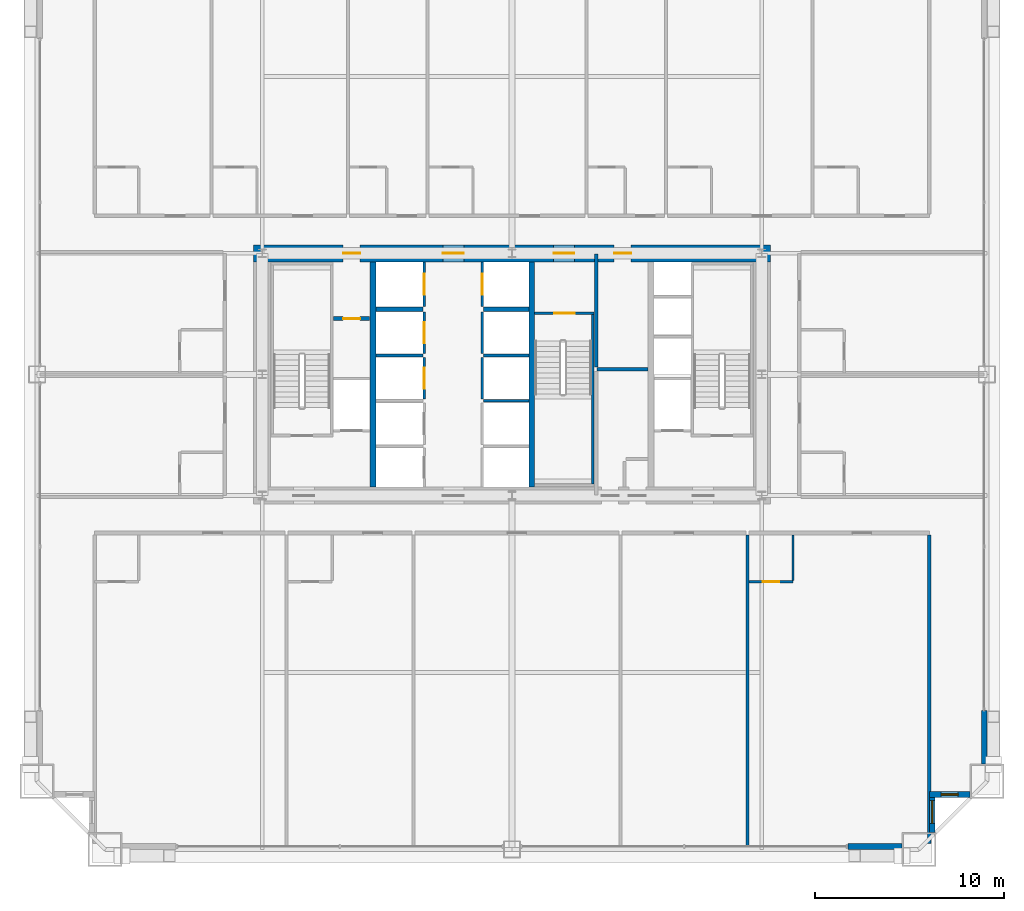
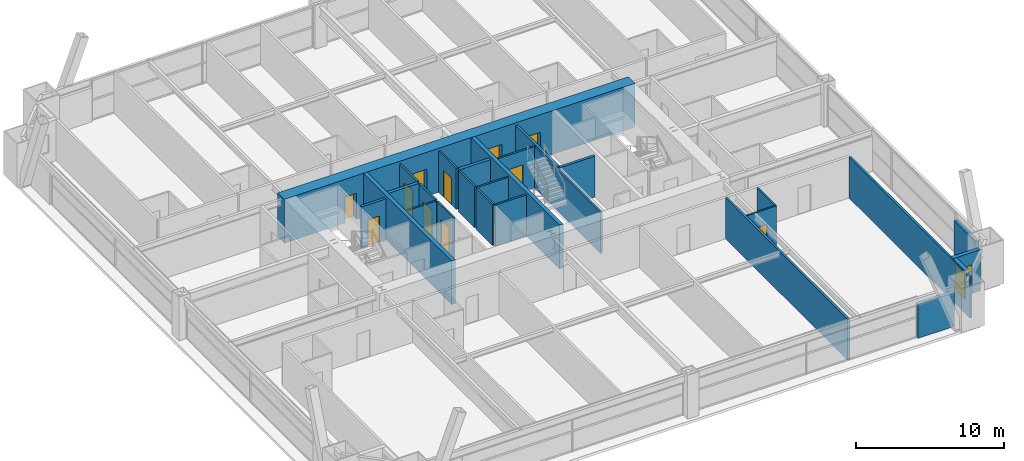
# One storey, part 40 of 43: 27 walls, 11 doors, 2 windows, 13 openings.
"""IFC4 building model written with IfcOpenShell, lengths in metres."""

import ifcopenshell
import ifcopenshell.guid

model = None  # the IFC model being written
_history = None  # IfcOwnerHistory: only IFC2X3 demands one
_inside = {}  # id of a spatial element -> (the spatial element, [elements in it])
_under = {}  # id of a project, library or spatial element -> (it, [spatial elements below it])
_declared = {}  # id of a project -> (the project, [libraries it declares])
_typed = {}  # id of a type object -> (the type object, [elements of that type])
_made_of = {}  # id of a material, layer set ... -> (it, [elements and type objects made of it])


def new_model(schema):
    """Start an empty IFC model of exactly this schema.

    Asked for "IFC4X3", IfcOpenShell would pick the latest addendum, in which some entities
    have other attributes; the version numbers below select the first issue.
    IFC2X3 requires an IfcOwnerHistory on every rooted entity: one is made here for all.
    """
    global model, _history
    if schema == "IFC4X3":
        model = ifcopenshell.file(schema_version=(4, 3, 0, 0))
    else:
        model = ifcopenshell.file(schema=schema)
    _inside.clear()
    _under.clear()
    _declared.clear()
    _typed.clear()
    _made_of.clear()
    _history = None
    if model.schema == "IFC2X3":
        org = make("IfcOrganization", Name="unknown")
        user = make(
            "IfcPersonAndOrganization",
            ThePerson=make("IfcPerson", FamilyName="unknown"),
            TheOrganization=org,
        )
        app = make(
            "IfcApplication",
            ApplicationDeveloper=org,
            Version="unknown",
            ApplicationFullName="unknown",
            ApplicationIdentifier="unknown",
        )
        _history = make(
            "IfcOwnerHistory",
            OwningUser=user,
            OwningApplication=app,
            ChangeAction="ADDED",
            CreationDate=0,
        )
    return model


def make(cls, **values):
    """One entity of the class cls with the attributes given. An attribute that is None is left unset."""
    return model.create_entity(
        cls, **{name: value for name, value in values.items() if value is not None}
    )


def rooted(cls, **values):
    """An entity with a GlobalId (a new one), such as an element, a storey or a relation."""
    return make(cls, GlobalId=ifcopenshell.guid.new(), OwnerHistory=_history, **values)


def si_unit(unit_type, name, prefix=None):
    """IfcSIUnit, for example si_unit("LENGTHUNIT", "METRE", prefix="MILLI")."""
    return make("IfcSIUnit", UnitType=unit_type, Prefix=prefix, Name=name)


def assignment(units):
    """IfcUnitAssignment: the units of a project."""
    return None if units is None else make("IfcUnitAssignment", Units=units)


def point(xyz):
    """IfcCartesianPoint."""
    return None if xyz is None else make("IfcCartesianPoint", Coordinates=xyz)


def direction(xyz):
    """IfcDirection."""
    return None if xyz is None else make("IfcDirection", DirectionRatios=xyz)


def frame(location, z_axis=None, x_axis=None):
    """IfcAxis2Placement3D, a coordinate frame: its origin and axes. An axis left out is left unset."""
    return make(
        "IfcAxis2Placement3D",
        Location=point(location),
        Axis=direction(z_axis),
        RefDirection=direction(x_axis),
    )


def frame_2d(location, x_axis=None):
    """IfcAxis2Placement2D, a coordinate frame in the plane: its origin and x axis."""
    return make(
        "IfcAxis2Placement2D", Location=point(location), RefDirection=direction(x_axis)
    )


def origin():
    """The frame at (0, 0, 0) with its axes left unset."""
    return frame((0.0, 0.0, 0.0))


def place(relative_to, where):
    """IfcLocalPlacement: puts the frame where relative to a parent placement (None: the world)."""
    return make(
        "IfcLocalPlacement", PlacementRelTo=relative_to, RelativePlacement=where
    )


def context(
    kind, dimensions, precision=None, world=None, true_north=None, identifier=None
):
    """IfcGeometricRepresentationContext, for example the 3D "Model" context."""
    return make(
        "IfcGeometricRepresentationContext",
        ContextIdentifier=identifier,
        ContextType=kind,
        CoordinateSpaceDimension=dimensions,
        Precision=precision,
        WorldCoordinateSystem=world,
        TrueNorth=true_north,
    )


def subcontext(parent, identifier, kind, view, scale=None):
    """IfcGeometricRepresentationSubContext, for example "Body" below "Model"."""
    return make(
        "IfcGeometricRepresentationSubContext",
        ContextIdentifier=identifier,
        ContextType=kind,
        ParentContext=parent,
        TargetScale=scale,
        TargetView=view,
    )


def project(units=None, contexts=None):
    """IfcProject with its units and contexts."""
    return rooted(
        "IfcProject",
        Name="project",
        RepresentationContexts=contexts,
        UnitsInContext=assignment(units),
    )


def spatial(cls, under=None, at=None, **own):
    """A site, building, storey or space (cls), placed at a placement, below another one or the project."""
    s = rooted(cls, ObjectPlacement=at, **own)
    if under is not None:
        _under.setdefault(under.id(), (under, []))[1].append(s)
    return s


def profile(cls, at=None, kind="AREA", **sizes):
    """A parametric profile (cls). Its sizes go by their IFC names, for example OverallWidth=200.0."""
    return make(cls, ProfileType=kind, Position=at, **sizes)


def rectangle(**sizes):
    """IfcRectangleProfileDef."""
    return profile("IfcRectangleProfileDef", **sizes)


def extrude(swept, where, along, depth):
    """IfcExtrudedAreaSolid: the profile swept, set in the frame where, extruded along a direction by depth."""
    return make(
        "IfcExtrudedAreaSolid",
        SweptArea=swept,
        Position=where,
        ExtrudedDirection=direction(along),
        Depth=depth,
    )


def shape(context_of_items, identifier, shape_type, items):
    """IfcShapeRepresentation: the items that make up one representation, for example the "Body"."""
    return make(
        "IfcShapeRepresentation",
        ContextOfItems=context_of_items,
        RepresentationIdentifier=identifier,
        RepresentationType=shape_type,
        Items=items,
    )


def source(mapping_origin, context_of_items, identifier, shape_type, items):
    """IfcRepresentationMap: a shape defined once, which mapped items show again and again."""
    return make(
        "IfcRepresentationMap",
        MappingOrigin=mapping_origin,
        MappedRepresentation=shape(context_of_items, identifier, shape_type, items),
    )


def transform(
    local_origin,
    x_axis=None,
    y_axis=None,
    z_axis=None,
    scale=None,
    scale2=None,
    scale3=None,
    uniform=True,
):
    """IfcCartesianTransformationOperator3D, or its non-uniform kind. x_axis, y_axis, z_axis: its Axis1, 2, 3."""
    if uniform:
        return make(
            "IfcCartesianTransformationOperator3D",
            Axis1=direction(x_axis),
            Axis2=direction(y_axis),
            LocalOrigin=point(local_origin),
            Scale=scale,
            Axis3=direction(z_axis),
        )
    return make(
        "IfcCartesianTransformationOperator3DnonUniform",
        Axis1=direction(x_axis),
        Axis2=direction(y_axis),
        LocalOrigin=point(local_origin),
        Scale=scale,
        Axis3=direction(z_axis),
        Scale2=scale2,
        Scale3=scale3,
    )


def mapped(mapping_source, mapping_target):
    """IfcMappedItem: shows the shape of a source again, moved by a transform."""
    return make(
        "IfcMappedItem", MappingSource=mapping_source, MappingTarget=mapping_target
    )


def material(Name=None, Category=None):
    """IfcMaterial."""
    return make("IfcMaterial", Name=Name, Category=Category)


def layer(
    of_material, thickness, ventilated=None, Name=None, Category=None, Priority=None
):
    """IfcMaterialLayer: one layer of a wall or slab, of a material (None: an air gap)."""
    return make(
        "IfcMaterialLayer",
        Material=of_material,
        LayerThickness=thickness,
        IsVentilated=ventilated,
        Name=Name,
        Category=Category,
        Priority=Priority,
    )


def layer_set(layers, Name=None):
    """IfcMaterialLayerSet."""
    return make("IfcMaterialLayerSet", MaterialLayers=layers, LayerSetName=Name)


def made_of(thing, what):
    """Note that an element or type object is made of a material, layer set ...; save() writes the relation."""
    if what is not None:
        _made_of.setdefault(what.id(), (what, []))[1].append(thing)
    return thing


def type_object(cls, material=None, **own):
    """A type object (cls), such as IfcWallType, which elements share."""
    return made_of(rooted(cls, **own), material)


def element(
    cls,
    number,
    at=None,
    inside=None,
    cuts=None,
    type_object=None,
    material=None,
    context=None,
    identifier="Body",
    shape_type=None,
    held_by="IfcProductDefinitionShape",
    body=None,
    shapes=None,
    **own,
):
    """One element of the class cls, such as IfcWall. Its Tag is "e" and its number.

    at: its placement. inside: the storey or other place that contains it. cuts: it is an
    opening in that element (IfcRelVoidsElement). A single representation is given by context,
    identifier, shape_type and body (its items); several are given by shapes. held_by: the class
    of the entity that holds the representations. save() writes the other relations.
    """
    e = rooted(cls, Tag="e%d" % number, ObjectPlacement=at, **own)
    if body is not None:
        shapes = [shape(context, identifier, shape_type, body)]
    if shapes is not None:
        e.Representation = make(held_by, Representations=shapes)
    if inside is not None:
        _inside.setdefault(inside.id(), (inside, []))[1].append(e)
    if cuts is not None:
        rooted(
            "IfcRelVoidsElement", RelatingBuildingElement=cuts, RelatedOpeningElement=e
        )
    if type_object is not None:
        _typed.setdefault(type_object.id(), (type_object, []))[1].append(e)
    return made_of(e, material)


def fill(opening, filler):
    """IfcRelFillsElement: the door or window that sits in an opening."""
    return rooted(
        "IfcRelFillsElement",
        RelatingOpeningElement=opening,
        RelatedBuildingElement=filler,
    )


def aggregate(whole, parts):
    """IfcRelAggregates: a whole, such as a stair, and the parts it consists of."""
    return rooted("IfcRelAggregates", RelatingObject=whole, RelatedObjects=parts)


def save(model, path):
    """Write the relations noted so far, then the file.

    IfcRelAggregates (storeys below a building ...), IfcRelContainedInSpatialStructure (elements
    in a storey), IfcRelDefinesByType, IfcRelAssociatesMaterial and IfcRelDeclares: one each for
    every whole, place, type object, material and project.
    """
    for whole, parts in _under.values():
        aggregate(whole, parts)
    for where, things in _inside.values():
        rooted(
            "IfcRelContainedInSpatialStructure",
            RelatedElements=things,
            RelatingStructure=where,
        )
    for kind, things in _typed.values():
        rooted("IfcRelDefinesByType", RelatedObjects=things, RelatingType=kind)
    for what, things in _made_of.values():
        rooted("IfcRelAssociatesMaterial", RelatedObjects=things, RelatingMaterial=what)
    for by, libraries in _declared.values():
        rooted("IfcRelDeclares", RelatingContext=by, RelatedDefinitions=libraries)
    model.write(path)


model = new_model("IFC4")

# Units and contexts
model_context = context("Model", 3, precision=1e-05, world=origin(), true_north=direction((0.0, 1.0)))
body_context = subcontext(model_context, "Body", "Model", "MODEL_VIEW")
ifc_project = project(units=[si_unit("LENGTHUNIT", "METRE"), si_unit("AREAUNIT", "SQUARE_METRE"), si_unit("VOLUMEUNIT", "CUBIC_METRE"), si_unit("PLANEANGLEUNIT", "RADIAN"), si_unit("MASSUNIT", "GRAM", prefix="KILO"), si_unit("THERMODYNAMICTEMPERATUREUNIT", "KELVIN"), si_unit("POWERUNIT", "WATT")], contexts=[model_context])

# Site, building, storey
site_placement = place(None, origin())
site = spatial("IfcSite", under=ifc_project, at=site_placement, CompositionType="ELEMENT")
building_placement = place(site_placement, origin())
building = spatial("IfcBuilding", under=site, at=building_placement, Name="Yuzanri Waterfront Tower", CompositionType="ELEMENT")
storey_placement = place(building_placement, frame((0.0, 0.0, 53.199951171875)))
storey = spatial("IfcBuildingStorey", under=building, at=storey_placement, Name="L13", CompositionType="ELEMENT", Elevation=53.199951171875)

# Wall, opening, door
ifc_material_1 = material(Name="Moisture-Resistant Gypsum Stud Wall", Category="gypsum")
ifc_layer_1 = layer(ifc_material_1, 0.1201171875)
ifc_layer_set_1 = layer_set([ifc_layer_1], Name="Moisture-Resistant Gypsum Stud Wall")
wall_type_1 = type_object("IfcWallType", Name="Bathroom and Kitchen Wet Partition 120", PredefinedType="PARTITIONING", material=ifc_layer_set_1)
wall_1_placement = place(storey_placement, frame((49.52197265625, 14.840087890625, 0.0), z_axis=(0.0, 0.0, 1.0), x_axis=(1.0, 0.0, 0.0)))
wall_1 = element("IfcWall", 1, at=wall_1_placement, inside=storey, type_object=wall_type_1, Name="L13 Partition UW-L13-S5-BS", PredefinedType="PARTITIONING", context=body_context, shape_type="SweptSolid", body=[
    extrude(rectangle(XDim=2.330078125, YDim=0.1201171875, at=frame_2d((1.1650390625, 0.0))), origin(), (0.0, 0.0, 1.0), 3.380126953125),
])
opening_1_placement = place(wall_1_placement, frame((0.739990234375, 0.0, 0.0)))
opening_1 = element("IfcOpeningElement", 2, at=opening_1_placement, cuts=wall_1, Name="Opening ID-0850", PredefinedType="OPENING", context=body_context, shape_type="SweptSolid", body=[
    extrude(rectangle(XDim=0.85009765625, YDim=2.10009765625, at=frame_2d((0.425048828125, 1.050048828125))), frame((0.0, 0.074951171875, 0.0), z_axis=(0.0, -1.0, 0.0), x_axis=(1.0, 0.0, 0.0)), (0.0, 0.0, 1.0), 0.14990234375),
])
ifc_material_2 = material(Name="Moisture-Resistant Lacquered Timber", Category="wood")
door_type_1 = type_object("IfcDoorType", Name="En-Suite Bathroom and Kitchen Swing Door 850x2100", OperationType="NOTDEFINED", PredefinedType="DOOR", material=ifc_material_2)
shared_shape_1 = source(origin(), body_context, "Body", "SweptSolid", [
    extrude(rectangle(XDim=0.85009765625, YDim=2.10009765625, at=frame_2d((0.425048828125, 1.050048828125))), frame((0.0, 0.02490234375, 0.0), z_axis=(0.0, -1.0, 0.0), x_axis=(1.0, 0.0, 0.0)), (0.0, 0.0, 1.0), 0.050048828125),
])
door_1_placement = place(opening_1_placement, origin())
door_1 = element("IfcDoor", 3, at=door_1_placement, inside=storey, type_object=door_type_1, Name="L13 Guest En-Suite Door", OperationType="SINGLE_SWING_LEFT", OverallHeight=2.10009765625, OverallWidth=0.85009765625, PredefinedType="DOOR", context=body_context, shape_type="MappedRepresentation", body=[
    mapped(shared_shape_1, transform((0.0, 0.0, 0.0), scale=1.0)),
])
fill(opening_1, door_1)

# Wall, opening, window
ifc_material_3 = material(Name="Honed Chongqing Dark Basalt Stone", Category="masonry")
ifc_layer_2 = layer(ifc_material_3, 0.300048828125)
ifc_layer_set_2 = layer_set([ifc_layer_2], Name="Honed Chongqing Dark Basalt Stone")
wall_type_2 = type_object("IfcWallType", Name="Bronze Rainscreen Insulated Spandrel Portal Wall 300", PredefinedType="SOLIDWALL", material=ifc_layer_set_2)
wall_2_placement = place(storey_placement, frame((59.050048828125, 3.60009765625, 0.0), z_axis=(0.0, 0.0, 1.0), x_axis=(1.0, 0.0, 0.0)))
wall_2 = element("IfcWall", 4, at=wall_2_placement, inside=storey, type_object=wall_type_2, Name="L13 Notched Corner Masonry Wall SE-X", PredefinedType="SOLIDWALL", context=body_context, shape_type="SweptSolid", body=[
    extrude(rectangle(XDim=2.14990234375, YDim=0.300048828125, at=frame_2d((1.074951171875, 0.0))), origin(), (0.0, 0.0, 1.0), 3.380126953125),
])
opening_2_placement = place(wall_2_placement, frame((0.625, 0.0, 0.85009765625)))
opening_2 = element("IfcOpeningElement", 5, at=opening_2_placement, cuts=wall_2, Name="Opening WN-05", PredefinedType="OPENING", context=body_context, shape_type="SweptSolid", body=[
    extrude(rectangle(XDim=0.89990234375, YDim=1.5, at=frame_2d((0.449951171875, 0.75))), frame((0.0, 0.1650390625, 0.0), z_axis=(0.0, -1.0, 0.0), x_axis=(1.0, 0.0, 0.0)), (0.0, 0.0, 1.0), 0.329833984375),
])
ifc_material_4 = material(Name="Double-Silver Low-E Insulated Glass", Category="glass")
window_type_1 = type_object("IfcWindowType", Name="Anodized Bronze Service and Stairwell Smoke-Vent Window 900x1500", PartitioningType="SINGLE_PANEL", PredefinedType="WINDOW", material=ifc_material_4)
shared_shape_2 = source(origin(), body_context, "Body", "SweptSolid", [
    extrude(rectangle(XDim=0.89990234375, YDim=1.5, at=frame_2d((0.449951171875, 0.75))), frame((0.0, 0.030029296875, 0.0), z_axis=(0.0, -1.0, 0.0), x_axis=(1.0, 0.0, 0.0)), (0.0, 0.0, 1.0), 0.06005859375),
])
window_1_placement = place(opening_2_placement, origin())
window_1 = element("IfcWindow", 6, at=window_1_placement, inside=storey, type_object=window_type_1, Name="L13 Notched Corner Window SE-X", OverallHeight=1.5, OverallWidth=0.89990234375, PartitioningType="SINGLE_PANEL", PredefinedType="WINDOW", context=body_context, shape_type="MappedRepresentation", body=[
    mapped(shared_shape_2, transform((0.0, 0.0, 0.0), scale=1.0)),
])
fill(opening_2, window_1)

wall_3_placement = place(storey_placement, frame((59.199951171875, 1.60009765625, 0.0), z_axis=(0.0, 0.0, 1.0), x_axis=(0.0, 1.0, 0.0)))
wall_3 = element("IfcWall", 7, at=wall_3_placement, inside=storey, type_object=wall_type_2, Name="L13 Notched Corner Masonry Wall SE-Y", PredefinedType="SOLIDWALL", context=body_context, shape_type="SweptSolid", body=[
    extrude(rectangle(XDim=2.14990234375, YDim=0.300048828125, at=frame_2d((1.074951171875, 0.0))), origin(), (0.0, 0.0, 1.0), 3.380126953125),
])
opening_3_placement = place(wall_3_placement, frame((0.47509765625, 0.0, 0.85009765625)))
opening_3 = element("IfcOpeningElement", 8, at=opening_3_placement, cuts=wall_3, Name="Opening WN-02", PredefinedType="OPENING", context=body_context, shape_type="SweptSolid", body=[
    extrude(rectangle(XDim=1.199951171875, YDim=2.10009765625, at=frame_2d((0.60009765625, 1.050048828125))), frame((0.0, 0.1650390625, 0.0), z_axis=(0.0, -1.0, 0.0), x_axis=(1.0, 0.0, 0.0)), (0.0, 0.0, 1.0), 0.329833984375),
])
ifc_material_5 = material(Name="Double-Silver Low-E Insulated Glass", Category="glass")
window_type_2 = type_object("IfcWindowType", Name="Anodized Bronze Notched Corner Deep-Set Slot Window 1200x2100", PartitioningType="SINGLE_PANEL", PredefinedType="WINDOW", material=ifc_material_5)
shared_shape_3 = source(origin(), body_context, "Body", "SweptSolid", [
    extrude(rectangle(XDim=1.199951171875, YDim=2.10009765625, at=frame_2d((0.60009765625, 1.050048828125))), frame((0.0, 0.030029296875, 0.0), z_axis=(0.0, -1.0, 0.0), x_axis=(1.0, 0.0, 0.0)), (0.0, 0.0, 1.0), 0.06005859375),
])
window_2_placement = place(opening_3_placement, origin())
window_2 = element("IfcWindow", 9, at=window_2_placement, inside=storey, type_object=window_type_2, Name="L13 Notched Corner Window SE-Y", OverallHeight=2.10009765625, OverallWidth=1.199951171875, PartitioningType="SINGLE_PANEL", PredefinedType="WINDOW", context=body_context, shape_type="MappedRepresentation", body=[
    mapped(shared_shape_3, transform((0.0, 0.0, 0.0), scale=1.0)),
])
fill(opening_3, window_2)

# Wall, openings, doors
ifc_material_6 = material(Name="Concrete C60", Category="concrete")
ifc_layer_3 = layer(ifc_material_6, 0.89990234375)
ifc_layer_set_3 = layer_set([ifc_layer_3], Name="Concrete C60")
wall_type_3 = type_object("IfcWallType", Name="Concrete C60 Lower Zone Core Shear Wall 900", PredefinedType="SHEAR", material=ifc_layer_set_3)
wall_4_placement = place(storey_placement, frame((23.35009765625, 32.199951171875, 0.0), z_axis=(0.0, 0.0, 1.0), x_axis=(1.0, 0.0, 0.0)))
wall_4 = element("IfcWall", 10, at=wall_4_placement, inside=storey, type_object=wall_type_3, Name="L13 Core North Shear Wall", PredefinedType="SHEAR", context=body_context, shape_type="SweptSolid", body=[
    extrude(rectangle(XDim=27.2998046875, YDim=0.89990234375, at=frame_2d((13.64990234375, 0.0))), origin(), (0.0, 0.0, 1.0), 3.60009765625),
])
opening_4_placement = place(wall_4_placement, frame((4.719970703125, 0.0, 0.0)))
opening_4 = element("IfcOpeningElement", 11, at=opening_4_placement, cuts=wall_4, Name="Opening FD-0900", PredefinedType="OPENING", context=body_context, shape_type="SweptSolid", body=[
    extrude(rectangle(XDim=0.89990234375, YDim=2.14990234375, at=frame_2d((0.449951171875, 1.074951171875))), frame((0.0, 0.46484375, 0.0), z_axis=(0.0, -1.0, 0.0), x_axis=(1.0, 0.0, 0.0)), (0.0, 0.0, 1.0), 0.9296875),
])
opening_5_placement = place(wall_4_placement, frame((10.0, 0.0, 0.0)))
opening_5 = element("IfcOpeningElement", 12, at=opening_5_placement, cuts=wall_4, Name="Opening FD-1100", PredefinedType="OPENING", context=body_context, shape_type="SweptSolid", body=[
    extrude(rectangle(XDim=1.10009765625, YDim=2.199951171875, at=frame_2d((0.550048828125, 1.10009765625))), frame((0.0, 0.46484375, 0.0), z_axis=(0.0, -1.0, 0.0), x_axis=(1.0, 0.0, 0.0)), (0.0, 0.0, 1.0), 0.9296875),
])
opening_6_placement = place(wall_4_placement, frame((15.85009765625, 0.0, 0.0)))
opening_6 = element("IfcOpeningElement", 13, at=opening_6_placement, cuts=wall_4, Name="Opening FD-1100", PredefinedType="OPENING", context=body_context, shape_type="SweptSolid", body=[
    extrude(rectangle(XDim=1.10009765625, YDim=2.199951171875, at=frame_2d((0.550048828125, 1.10009765625))), frame((0.0, 0.46484375, 0.0), z_axis=(0.0, -1.0, 0.0), x_axis=(1.0, 0.0, 0.0)), (0.0, 0.0, 1.0), 0.9296875),
])
opening_7_placement = place(wall_4_placement, frame((19.050048828125, 0.0, 0.0)))
opening_7 = element("IfcOpeningElement", 14, at=opening_7_placement, cuts=wall_4, Name="Opening FD-0900", PredefinedType="OPENING", context=body_context, shape_type="SweptSolid", body=[
    extrude(rectangle(XDim=0.89990234375, YDim=2.14990234375, at=frame_2d((0.449951171875, 1.074951171875))), frame((0.0, 0.46484375, 0.0), z_axis=(0.0, -1.0, 0.0), x_axis=(1.0, 0.0, 0.0)), (0.0, 0.0, 1.0), 0.9296875),
])
ifc_material_7 = material(Name="Painted Galvanized Fire Steel", Category="steel")
door_type_2 = type_object("IfcDoorType", Name="Smoke-Proof Stair and Lobby Fire Door 1100x2200", OperationType="NOTDEFINED", PredefinedType="DOOR", material=ifc_material_7)
shared_shape_4 = source(origin(), body_context, "Body", "SweptSolid", [
    extrude(rectangle(XDim=1.10009765625, YDim=2.199951171875, at=frame_2d((0.550048828125, 1.10009765625))), frame((0.0, 0.02490234375, 0.0), z_axis=(0.0, -1.0, 0.0), x_axis=(1.0, 0.0, 0.0)), (0.0, 0.0, 1.0), 0.050048828125),
])
door_2_placement = place(opening_5_placement, origin())
door_2 = element("IfcDoor", 15, at=door_2_placement, inside=storey, type_object=door_type_2, Name="L13 Central Lift Lobby North Door", OperationType="SINGLE_SWING_RIGHT", OverallHeight=2.199951171875, OverallWidth=1.10009765625, PredefinedType="DOOR", context=body_context, shape_type="MappedRepresentation", body=[
    mapped(shared_shape_4, transform((0.0, 0.0, 0.0), scale=1.0)),
])
fill(opening_5, door_2)
door_3_placement = place(opening_6_placement, origin())
door_3 = element("IfcDoor", 16, at=door_3_placement, inside=storey, type_object=door_type_2, Name="L13 North Stair Lobby Door", OperationType="SINGLE_SWING_LEFT", OverallHeight=2.199951171875, OverallWidth=1.10009765625, PredefinedType="DOOR", context=body_context, shape_type="MappedRepresentation", body=[
    mapped(shared_shape_4, transform((0.0, 0.0, 0.0), scale=1.0)),
])
fill(opening_6, door_3)
ifc_material_8 = material(Name="Painted Galvanized Fire Steel", Category="steel")
door_type_3 = type_object("IfcDoorType", Name="Riser and Service Room Fire Door 900x2150", OperationType="NOTDEFINED", PredefinedType="DOOR", material=ifc_material_8)
shared_shape_5 = source(origin(), body_context, "Body", "SweptSolid", [
    extrude(rectangle(XDim=0.89990234375, YDim=2.14990234375, at=frame_2d((0.449951171875, 1.074951171875))), frame((0.0, 0.02490234375, 0.0), z_axis=(0.0, -1.0, 0.0), x_axis=(1.0, 0.0, 0.0)), (0.0, 0.0, 1.0), 0.050048828125),
])
door_4_placement = place(opening_4_placement, origin())
door_4 = element("IfcDoor", 17, at=door_4_placement, inside=storey, type_object=door_type_3, Name="L13 Telecom Riser Door", OperationType="SINGLE_SWING_LEFT", OverallHeight=2.14990234375, OverallWidth=0.89990234375, PredefinedType="DOOR", context=body_context, shape_type="MappedRepresentation", body=[
    mapped(shared_shape_5, transform((0.0, 0.0, 0.0), scale=1.0)),
])
fill(opening_4, door_4)
door_5_placement = place(opening_7_placement, origin())
door_5 = element("IfcDoor", 18, at=door_5_placement, inside=storey, type_object=door_type_3, Name="L13 Housekeeping Room", OperationType="SINGLE_SWING_LEFT", OverallHeight=2.14990234375, OverallWidth=0.89990234375, PredefinedType="DOOR", context=body_context, shape_type="MappedRepresentation", body=[
    mapped(shared_shape_5, transform((0.0, 0.0, 0.0), scale=1.0)),
])
fill(opening_7, door_5)

# Wall, opening, door
ifc_material_9 = material(Name="Concrete C40", Category="concrete")
ifc_layer_4 = layer(ifc_material_9, 0.139892578125)
ifc_layer_set_4 = layer_set([ifc_layer_4], Name="Concrete C40")
wall_type_4 = type_object("IfcWallType", Name="Core Stair Liner and Hoistway Shaft Wall 140", PredefinedType="SOLIDWALL", material=ifc_layer_set_4)
wall_5_placement = place(storey_placement, frame((32.3701171875, 24.5, 0.0), z_axis=(0.0, 0.0, 1.0), x_axis=(0.0, 1.0, 0.0)))
wall_5 = element("IfcWall", 19, at=wall_5_placement, inside=storey, type_object=wall_type_4, Name="L13 Lift PL-03 Front Shaft Wall", PredefinedType="SOLIDWALL", context=body_context, shape_type="SweptSolid", body=[
    extrude(rectangle(XDim=2.199951171875, YDim=0.139892578125, at=frame_2d((1.10009765625, 0.0))), origin(), (0.0, 0.0, 1.0), 3.380126953125),
])
opening_8_placement = place(wall_5_placement, frame((0.550048828125, 0.0, 0.0)))
opening_8 = element("IfcOpeningElement", 20, at=opening_8_placement, cuts=wall_5, Name="Opening LD-PL-03", PredefinedType="OPENING", context=body_context, shape_type="SweptSolid", body=[
    extrude(rectangle(XDim=1.10009765625, YDim=2.199951171875, at=frame_2d((0.550048828125, 1.10009765625))), frame((0.0, 0.0849609375, 0.0), z_axis=(0.0, -1.0, 0.0), x_axis=(1.0, 0.0, 0.0)), (0.0, 0.0, 1.0), 0.169677734375),
])
ifc_material_10 = material(Name="Brushed Bronze and Stainless Steel Cab", Category="steel")
door_type_4 = type_object("IfcDoorType", Name="Center-Parting Bronze Lift Landing Sliding Door 1100x2200", OperationType="NOTDEFINED", PredefinedType="DOOR", material=ifc_material_10)
shared_shape_6 = source(origin(), body_context, "Body", "SweptSolid", [
    extrude(rectangle(XDim=1.10009765625, YDim=2.199951171875, at=frame_2d((0.550048828125, 1.10009765625))), frame((0.0, 0.02490234375, 0.0), z_axis=(0.0, -1.0, 0.0), x_axis=(1.0, 0.0, 0.0)), (0.0, 0.0, 1.0), 0.050048828125),
])
door_6_placement = place(opening_8_placement, origin())
door_6 = element("IfcDoor", 21, at=door_6_placement, inside=storey, type_object=door_type_4, Name="L13 PL-03 Lift Landing Sliding Door", OperationType="SLIDING_TO_LEFT", OverallHeight=2.199951171875, OverallWidth=1.10009765625, PredefinedType="DOOR", context=body_context, shape_type="MappedRepresentation", body=[
    mapped(shared_shape_6, transform((0.0, 0.0, 0.0), scale=1.0)),
])
fill(opening_8, door_6)

wall_6_placement = place(storey_placement, frame((32.3701171875, 26.89990234375, 0.0), z_axis=(0.0, 0.0, 1.0), x_axis=(0.0, 1.0, 0.0)))
wall_6 = element("IfcWall", 22, at=wall_6_placement, inside=storey, type_object=wall_type_4, Name="L13 Lift PL-04 Front Shaft Wall", PredefinedType="SOLIDWALL", context=body_context, shape_type="SweptSolid", body=[
    extrude(rectangle(XDim=2.2001953125, YDim=0.139892578125, at=frame_2d((1.10009765625, 0.0))), origin(), (0.0, 0.0, 1.0), 3.380126953125),
])
opening_9_placement = place(wall_6_placement, frame((0.550048828125, 0.0, 0.0)))
opening_9 = element("IfcOpeningElement", 23, at=opening_9_placement, cuts=wall_6, Name="Opening LD-PL-04", PredefinedType="OPENING", context=body_context, shape_type="SweptSolid", body=[
    extrude(rectangle(XDim=1.10009765625, YDim=2.199951171875, at=frame_2d((0.550048828125, 1.10009765625))), frame((0.0, 0.0849609375, 0.0), z_axis=(0.0, -1.0, 0.0), x_axis=(1.0, 0.0, 0.0)), (0.0, 0.0, 1.0), 0.169677734375),
])
door_7_placement = place(opening_9_placement, origin())
door_7 = element("IfcDoor", 24, at=door_7_placement, inside=storey, type_object=door_type_4, Name="L13 PL-04 Lift Landing Sliding Door", OperationType="SLIDING_TO_RIGHT", OverallHeight=2.199951171875, OverallWidth=1.10009765625, PredefinedType="DOOR", context=body_context, shape_type="MappedRepresentation", body=[
    mapped(shared_shape_6, transform((0.0, 0.0, 0.0), scale=1.0)),
])
fill(opening_9, door_7)

wall_7_placement = place(storey_placement, frame((32.3701171875, 29.39990234375, 0.0), z_axis=(0.0, 0.0, 1.0), x_axis=(0.0, 1.0, 0.0)))
wall_7 = element("IfcWall", 25, at=wall_7_placement, inside=storey, type_object=wall_type_4, Name="L13 Lift SL-01 Front Shaft Wall", PredefinedType="SOLIDWALL", context=body_context, shape_type="SweptSolid", body=[
    extrude(rectangle(XDim=2.340087890625, YDim=0.139892578125, at=frame_2d((1.169921875, 0.0))), origin(), (0.0, 0.0, 1.0), 3.380126953125),
])
opening_10_placement = place(wall_7_placement, frame((0.6201171875, 0.0, 0.0)))
opening_10 = element("IfcOpeningElement", 26, at=opening_10_placement, cuts=wall_7, Name="Opening LD-SL-01", PredefinedType="OPENING", context=body_context, shape_type="SweptSolid", body=[
    extrude(rectangle(XDim=1.10009765625, YDim=2.199951171875, at=frame_2d((0.550048828125, 1.10009765625))), frame((0.0, 0.0849609375, 0.0), z_axis=(0.0, -1.0, 0.0), x_axis=(1.0, 0.0, 0.0)), (0.0, 0.0, 1.0), 0.169677734375),
])
door_8_placement = place(opening_10_placement, origin())
door_8 = element("IfcDoor", 27, at=door_8_placement, inside=storey, type_object=door_type_4, Name="L13 SL-01 Lift Landing Sliding Door", OperationType="SLIDING_TO_LEFT", OverallHeight=2.199951171875, OverallWidth=1.10009765625, PredefinedType="DOOR", context=body_context, shape_type="MappedRepresentation", body=[
    mapped(shared_shape_6, transform((0.0, 0.0, 0.0), scale=1.0)),
])
fill(opening_10, door_8)

wall_8_placement = place(storey_placement, frame((35.429931640625, 29.39990234375, 0.0), z_axis=(0.0, 0.0, 1.0), x_axis=(0.0, 1.0, 0.0)))
wall_8 = element("IfcWall", 28, at=wall_8_placement, inside=storey, type_object=wall_type_4, Name="L13 Lift SL-02 Front Shaft Wall", PredefinedType="SOLIDWALL", context=body_context, shape_type="SweptSolid", body=[
    extrude(rectangle(XDim=2.340087890625, YDim=0.139892578125, at=frame_2d((1.169921875, 0.0))), origin(), (0.0, 0.0, 1.0), 3.380126953125),
])
opening_11_placement = place(wall_8_placement, frame((0.6201171875, 0.0, 0.0)))
opening_11 = element("IfcOpeningElement", 29, at=opening_11_placement, cuts=wall_8, Name="Opening LD-SL-02", PredefinedType="OPENING", context=body_context, shape_type="SweptSolid", body=[
    extrude(rectangle(XDim=1.10009765625, YDim=2.199951171875, at=frame_2d((0.550048828125, 1.10009765625))), frame((0.0, 0.0849609375, 0.0), z_axis=(0.0, -1.0, 0.0), x_axis=(1.0, 0.0, 0.0)), (0.0, 0.0, 1.0), 0.169677734375),
])
door_9_placement = place(opening_11_placement, origin())
door_9 = element("IfcDoor", 30, at=door_9_placement, inside=storey, type_object=door_type_4, Name="L13 SL-02 Lift Landing Sliding Door", OperationType="SLIDING_TO_RIGHT", OverallHeight=2.199951171875, OverallWidth=1.10009765625, PredefinedType="DOOR", context=body_context, shape_type="MappedRepresentation", body=[
    mapped(shared_shape_6, transform((0.0, 0.0, 0.0), scale=1.0)),
])
fill(opening_11, door_9)

wall_9_placement = place(storey_placement, frame((38.199951171875, 29.030029296875, 0.0), z_axis=(0.0, 0.0, 1.0), x_axis=(1.0, 0.0, 0.0)))
wall_9 = element("IfcWall", 31, at=wall_9_placement, inside=storey, type_object=wall_type_4, Name="L13 Shaft Wall STW-L13-ST-03-N", PredefinedType="SOLIDWALL", context=body_context, shape_type="SweptSolid", body=[
    extrude(rectangle(XDim=3.14013671875, YDim=0.139892578125, at=frame_2d((1.570068359375, 0.0))), origin(), (0.0, 0.0, 1.0), 3.380126953125),
])
opening_12_placement = place(wall_9_placement, frame((1.02001953125, 0.0, 0.0)))
opening_12 = element("IfcOpeningElement", 32, at=opening_12_placement, cuts=wall_9, Name="Opening FD-1100", PredefinedType="OPENING", context=body_context, shape_type="SweptSolid", body=[
    extrude(rectangle(XDim=1.10009765625, YDim=2.199951171875, at=frame_2d((0.550048828125, 1.10009765625))), frame((0.0, 0.0849609375, 0.0), z_axis=(0.0, -1.0, 0.0), x_axis=(1.0, 0.0, 0.0)), (0.0, 0.0, 1.0), 0.169677734375),
])
door_10_placement = place(opening_12_placement, origin())
door_10 = element("IfcDoor", 33, at=door_10_placement, inside=storey, type_object=door_type_2, Name="L13 Stair ST-03 Fire Door", OperationType="SINGLE_SWING_LEFT", OverallHeight=2.199951171875, OverallWidth=1.10009765625, PredefinedType="DOOR", context=body_context, shape_type="MappedRepresentation", body=[
    mapped(shared_shape_4, transform((0.0, 0.0, 0.0), scale=1.0)),
])
fill(opening_12, door_10)

ifc_material_11 = material(Name="Autoclaved Aerated Concrete Blockwork", Category="masonry")
ifc_layer_5 = layer(ifc_material_11, 0.199951171875)
ifc_layer_set_5 = layer_set([ifc_layer_5], Name="Autoclaved Aerated Concrete Blockwork")
wall_type_5 = type_object("IfcWallType", Name="Corridor and Unit Party Fire Wall 200", PredefinedType="PARTITIONING", material=ifc_layer_set_5)
wall_10_placement = place(storey_placement, frame((27.56005859375, 28.75, 0.0), z_axis=(0.0, 0.0, 1.0), x_axis=(1.0, 0.0, 0.0)))
wall_10 = element("IfcWall", 34, at=wall_10_placement, inside=storey, type_object=wall_type_5, Name="L13 Partition CRW-L13-ERTR", PredefinedType="PARTITIONING", context=body_context, shape_type="SweptSolid", body=[
    extrude(rectangle(XDim=1.919921875, YDim=0.199951171875, at=frame_2d((0.9599609375, 0.0))), origin(), (0.0, 0.0, 1.0), 3.380126953125),
])
opening_13_placement = place(wall_10_placement, frame((0.510009765625, 0.0, 0.0)))
opening_13 = element("IfcOpeningElement", 35, at=opening_13_placement, cuts=wall_10, Name="Opening FD-0900", PredefinedType="OPENING", context=body_context, shape_type="SweptSolid", body=[
    extrude(rectangle(XDim=0.89990234375, YDim=2.14990234375, at=frame_2d((0.449951171875, 1.074951171875))), frame((0.0, 0.11474609375, 0.0), z_axis=(0.0, -1.0, 0.0), x_axis=(1.0, 0.0, 0.0)), (0.0, 0.0, 1.0), 0.229736328125),
])
door_11_placement = place(opening_13_placement, origin())
door_11 = element("IfcDoor", 36, at=door_11_placement, inside=storey, type_object=door_type_3, Name="L13 Electrical Riser Door", OperationType="SINGLE_SWING_RIGHT", OverallHeight=2.14990234375, OverallWidth=0.89990234375, PredefinedType="DOOR", context=body_context, shape_type="MappedRepresentation", body=[
    mapped(shared_shape_5, transform((0.0, 0.0, 0.0), scale=1.0)),
])
fill(opening_13, door_11)

# Walls
ifc_material_12 = material(Name="Concrete C50", Category="concrete")
ifc_layer_6 = layer(ifc_material_12, 0.300048828125)
ifc_layer_set_6 = layer_set([ifc_layer_6], Name="Concrete C50")
wall_type_6 = type_object("IfcWallType", Name="Concrete C50 Internal Core Shaft Structural Wall 300", PredefinedType="SOLIDWALL", material=ifc_layer_set_6)
shared_shape_7 = source(origin(), body_context, "Body", "SweptSolid", [
    extrude(rectangle(XDim=11.89990234375, YDim=0.300048828125, at=frame_2d((5.949951171875, 0.0))), origin(), (0.0, 0.0, 1.0), 3.60009765625),
])
for number, where, z_axis, x_axis, name in (
    (37, (29.64990234375, 19.85009765625, 0.0), (0.0, 0.0, 1.0), (0.0, 1.0, 0.0), "L13 Core Internal Structural Web Wall 1"),
    (38, (38.050048828125, 19.85009765625, 0.0), (0.0, 0.0, 1.0), (0.0, 1.0, 0.0), "L13 Core Internal Structural Web Wall 2"),
):
    element("IfcWall", number, at=place(storey_placement, frame(where, z_axis=z_axis, x_axis=x_axis)), inside=storey, type_object=wall_type_6, Name=name, PredefinedType="SOLIDWALL", context=body_context, shape_type="MappedRepresentation", body=[
        mapped(shared_shape_7, transform((0.0, 0.0, 0.0), scale=1.0)),
    ])
shared_shape_8 = source(origin(), body_context, "Body", "SweptSolid", [
    extrude(rectangle(XDim=2.85009765625, YDim=0.300048828125, at=frame_2d((1.425048828125, 0.0))), origin(), (0.0, 0.0, 1.0), 2.775146484375),
])
for number, where, z_axis, x_axis, name in (
    (39, (54.75, 0.85009765625, 0.0), (0.0, 0.0, 1.0), (1.0, 0.0, 0.0), "L13 S Right Braced Masonry Shoulder"),
    (40, (61.949951171875, 5.199951171875, 0.0), (0.0, 0.0, 1.0), (0.0, 1.0, 0.0), "L13 E Left Braced Masonry Shoulder"),
):
    element("IfcWall", number, at=place(storey_placement, frame(where, z_axis=z_axis, x_axis=x_axis)), inside=storey, type_object=wall_type_2, Name=name, PredefinedType="SOLIDWALL", context=body_context, shape_type="MappedRepresentation", body=[
        mapped(shared_shape_8, transform((0.0, 0.0, 0.0), scale=1.0)),
    ])
shared_shape_9 = source(origin(), body_context, "Body", "SweptSolid", [
    extrude(rectangle(XDim=2.5, YDim=0.139892578125, at=frame_2d((1.25, 0.0))), origin(), (0.0, 0.0, 1.0), 3.380126953125),
])
wall_11_placement = place(storey_placement, frame((29.800048828125, 26.800048828125, 0.0), z_axis=(0.0, 0.0, 1.0), x_axis=(1.0, 0.0, 0.0)))
element("IfcWall", 41, at=wall_11_placement, inside=storey, type_object=wall_type_4, Name="L13 Lift PL-03 Divider Wall", PredefinedType="SOLIDWALL", context=body_context, shape_type="MappedRepresentation", body=[
    mapped(shared_shape_9, transform((0.0, 0.0, 0.0), scale=1.0)),
])
ifc_material_13 = material(Name="Concrete C40", Category="concrete")
ifc_layer_7 = layer(ifc_material_13, 0.25)
ifc_layer_set_7 = layer_set([ifc_layer_7], Name="Concrete C40")
wall_type_7 = type_object("IfcWallType", Name="Smoke-Proof Stair and Lift Shaft Wall 250", PredefinedType="SOLIDWALL", material=ifc_layer_set_7)
shared_shape_10 = source(origin(), body_context, "Body", "SweptSolid", [
    extrude(rectangle(XDim=2.5, YDim=0.25, at=frame_2d((1.25, 0.0))), origin(), (0.0, 0.0, 1.0), 3.380126953125),
])
wall_12_placement = place(storey_placement, frame((29.800048828125, 29.25, 0.0), z_axis=(0.0, 0.0, 1.0), x_axis=(1.0, 0.0, 0.0)))
element("IfcWall", 42, at=wall_12_placement, inside=storey, type_object=wall_type_7, Name="L13 Lift SL-01 South Shaft Wall", PredefinedType="SOLIDWALL", context=body_context, shape_type="MappedRepresentation", body=[
    mapped(shared_shape_10, transform((0.0, 0.0, 0.0), scale=1.0)),
])
shared_shape_11 = source(origin(), body_context, "Body", "SweptSolid", [
    extrude(rectangle(XDim=2.39990234375, YDim=0.139892578125, at=frame_2d((1.199951171875, 0.0))), origin(), (0.0, 0.0, 1.0), 3.380126953125),
])
for number, where, z_axis, x_axis, name in (
    (43, (35.5, 24.39990234375, 0.0), (0.0, 0.0, 1.0), (1.0, 0.0, 0.0), "L13 Lift PL-06 Divider Wall"),
    (44, (35.5, 26.800048828125, 0.0), (0.0, 0.0, 1.0), (1.0, 0.0, 0.0), "L13 Lift PL-07 Divider Wall"),
):
    element("IfcWall", number, at=place(storey_placement, frame(where, z_axis=z_axis, x_axis=x_axis)), inside=storey, type_object=wall_type_4, Name=name, PredefinedType="SOLIDWALL", context=body_context, shape_type="MappedRepresentation", body=[
        mapped(shared_shape_11, transform((0.0, 0.0, 0.0), scale=1.0)),
    ])
shared_shape_12 = source(origin(), body_context, "Body", "SweptSolid", [
    extrude(rectangle(XDim=2.199951171875, YDim=0.139892578125, at=frame_2d((1.10009765625, 0.0))), origin(), (0.0, 0.0, 1.0), 3.380126953125),
])
wall_13_placement = place(storey_placement, frame((35.429931640625, 24.5, 0.0), z_axis=(0.0, 0.0, 1.0), x_axis=(0.0, 1.0, 0.0)))
element("IfcWall", 45, at=wall_13_placement, inside=storey, type_object=wall_type_4, Name="L13 Lift PL-07 Front Shaft Wall", PredefinedType="SOLIDWALL", context=body_context, shape_type="MappedRepresentation", body=[
    mapped(shared_shape_12, transform((0.0, 0.0, 0.0), scale=1.0)),
])
shared_shape_13 = source(origin(), body_context, "Body", "SweptSolid", [
    extrude(rectangle(XDim=2.2001953125, YDim=0.139892578125, at=frame_2d((1.10009765625, 0.0))), origin(), (0.0, 0.0, 1.0), 3.380126953125),
])
wall_14_placement = place(storey_placement, frame((35.429931640625, 26.89990234375, 0.0), z_axis=(0.0, 0.0, 1.0), x_axis=(0.0, 1.0, 0.0)))
element("IfcWall", 46, at=wall_14_placement, inside=storey, type_object=wall_type_4, Name="L13 Lift PL-08 Front Shaft Wall", PredefinedType="SOLIDWALL", context=body_context, shape_type="MappedRepresentation", body=[
    mapped(shared_shape_13, transform((0.0, 0.0, 0.0), scale=1.0)),
])
shared_shape_14 = source(origin(), body_context, "Body", "SweptSolid", [
    extrude(rectangle(XDim=2.39990234375, YDim=0.25, at=frame_2d((1.199951171875, 0.0))), origin(), (0.0, 0.0, 1.0), 3.380126953125),
])
wall_15_placement = place(storey_placement, frame((35.5, 29.25, 0.0), z_axis=(0.0, 0.0, 1.0), x_axis=(1.0, 0.0, 0.0)))
element("IfcWall", 47, at=wall_15_placement, inside=storey, type_object=wall_type_7, Name="L13 Lift SL-02 South Shaft Wall", PredefinedType="SOLIDWALL", context=body_context, shape_type="MappedRepresentation", body=[
    mapped(shared_shape_14, transform((0.0, 0.0, 0.0), scale=1.0)),
])
shared_shape_15 = source(origin(), body_context, "Body", "SweptSolid", [
    extrude(rectangle(XDim=8.93994140625, YDim=0.139892578125, at=frame_2d((4.469970703125, 0.0))), origin(), (0.0, 0.0, 1.0), 3.380126953125),
])
wall_16_placement = place(storey_placement, frame((41.27001953125, 20.02001953125, 0.0), z_axis=(0.0, 0.0, 1.0), x_axis=(0.0, 1.0, 0.0)))
element("IfcWall", 48, at=wall_16_placement, inside=storey, type_object=wall_type_4, Name="L13 Stair ST-03 East Shaft Wall", PredefinedType="SOLIDWALL", context=body_context, shape_type="MappedRepresentation", body=[
    mapped(shared_shape_15, transform((0.0, 0.0, 0.0), scale=1.0)),
])
ifc_material_14 = material(Name="Gypsum Fireboard Acoustic Stud Wall", Category="gypsum")
ifc_layer_8 = layer(ifc_material_14, 0.159912109375)
ifc_layer_set_8 = layer_set([ifc_layer_8], Name="Gypsum Fireboard Acoustic Stud Wall")
wall_type_8 = type_object("IfcWallType", Name="Acoustic Suite Demising Partition 160", PredefinedType="PARTITIONING", material=ifc_layer_set_8)
shared_shape_16 = source(origin(), body_context, "Body", "SweptSolid", [
    extrude(rectangle(XDim=16.469970703125, YDim=0.159912109375, at=frame_2d((8.23486328125, 0.0))), origin(), (0.0, 0.0, 1.0), 3.380126953125),
])
wall_17_placement = place(storey_placement, frame((49.44189453125, 0.85009765625, 0.0), z_axis=(0.0, 0.0, 1.0), x_axis=(0.0, 1.0, 0.0)))
element("IfcWall", 49, at=wall_17_placement, inside=storey, type_object=wall_type_8, Name="L13-S4 Party Wall", PredefinedType="PARTITIONING", context=body_context, shape_type="MappedRepresentation", body=[
    mapped(shared_shape_16, transform((0.0, 0.0, 0.0), scale=1.0)),
])
shared_shape_17 = source(origin(), body_context, "Body", "SweptSolid", [
    extrude(rectangle(XDim=2.420166015625, YDim=0.1201171875, at=frame_2d((1.2099609375, 0.0))), origin(), (0.0, 0.0, 1.0), 3.380126953125),
])
wall_18_placement = place(storey_placement, frame((51.85205078125, 14.89990234375, 0.0), z_axis=(0.0, 0.0, 1.0), x_axis=(0.0, 1.0, 0.0)))
element("IfcWall", 50, at=wall_18_placement, inside=storey, type_object=wall_type_1, Name="L13-S5 En-Suite Side Wall", PredefinedType="PARTITIONING", context=body_context, shape_type="MappedRepresentation", body=[
    mapped(shared_shape_17, transform((0.0, 0.0, 0.0), scale=1.0)),
])
shared_shape_18 = source(origin(), body_context, "Body", "SweptSolid", [
    extrude(rectangle(XDim=16.320068359375, YDim=0.159912109375, at=frame_2d((8.16015625, 0.0))), origin(), (0.0, 0.0, 1.0), 3.380126953125),
])
wall_19_placement = place(storey_placement, frame((59.050048828125, 1.0, 0.0), z_axis=(0.0, 0.0, 1.0), x_axis=(0.0, 1.0, 0.0)))
element("IfcWall", 51, at=wall_19_placement, inside=storey, type_object=wall_type_8, Name="L13 South Band East End Wall", PredefinedType="PARTITIONING", context=body_context, shape_type="MappedRepresentation", body=[
    mapped(shared_shape_18, transform((0.0, 0.0, 0.0), scale=1.0)),
])
shared_shape_19 = source(origin(), body_context, "Body", "SweptSolid", [
    extrude(rectangle(XDim=2.699951171875, YDim=0.199951171875, at=frame_2d((1.35009765625, 0.0))), origin(), (0.0, 0.0, 1.0), 3.380126953125),
])
wall_20_placement = place(storey_placement, frame((41.5, 26.070068359375, 0.0), z_axis=(0.0, 0.0, 1.0), x_axis=(1.0, 0.0, 0.0)))
element("IfcWall", 52, at=wall_20_placement, inside=storey, type_object=wall_type_5, Name="L13 Core BOH Split Wall 1", PredefinedType="PARTITIONING", context=body_context, shape_type="MappedRepresentation", body=[
    mapped(shared_shape_19, transform((0.0, 0.0, 0.0), scale=1.0)),
])
shared_shape_20 = source(origin(), body_context, "Body", "SweptSolid", [
    extrude(rectangle(XDim=5.9599609375, YDim=0.199951171875, at=frame_2d((2.97998046875, 0.0))), origin(), (0.0, 0.0, 1.0), 3.380126953125),
])
wall_21_placement = place(storey_placement, frame((41.449951171875, 26.199951171875, 0.0), z_axis=(0.0, 0.0, 1.0), x_axis=(0.0, 1.0, 0.0)))
element("IfcWall", 53, at=wall_21_placement, inside=storey, type_object=wall_type_5, Name="L13 Core BOH West Wall 2", PredefinedType="PARTITIONING", context=body_context, shape_type="MappedRepresentation", body=[
    mapped(shared_shape_20, transform((0.0, 0.0, 0.0), scale=1.0)),
])

save(model, "model.ifc")
